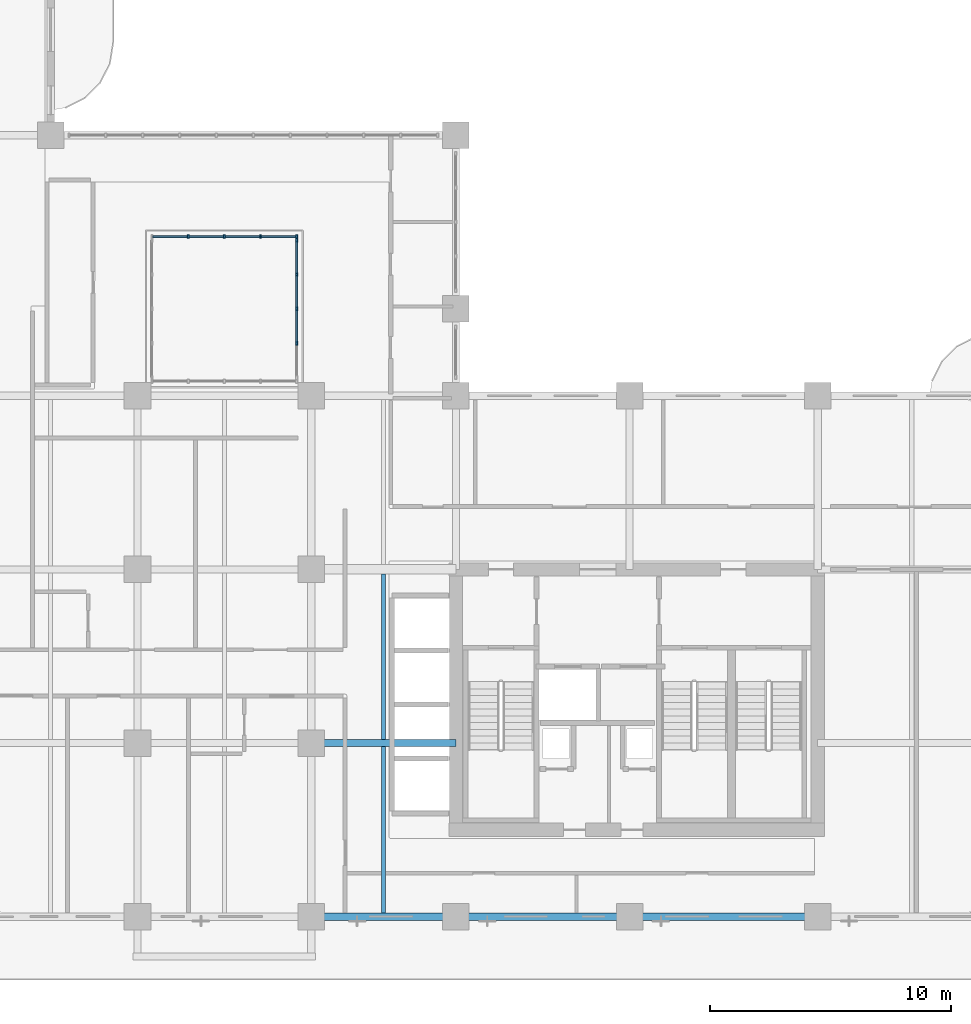
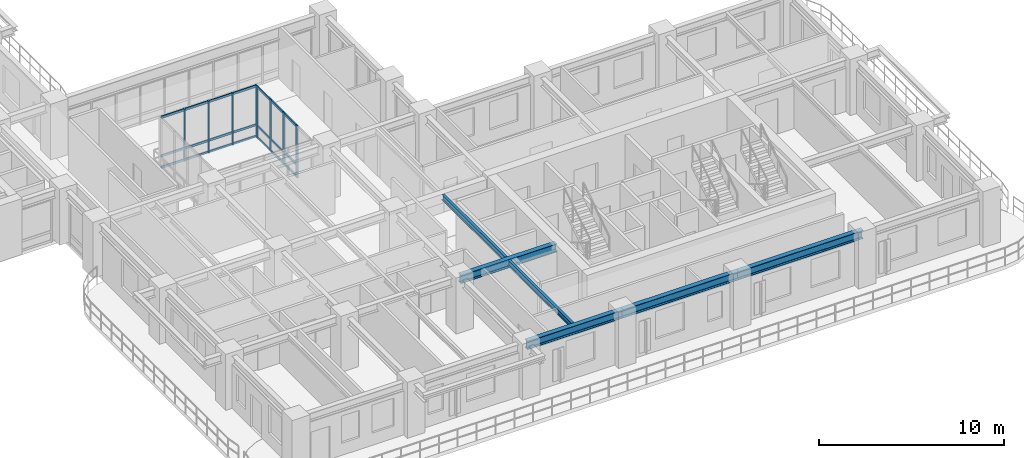
# One storey, part 3 of 22: 29 members, 6 beams, 2 elements without a shape of their own.
"""IFC4 building model written with IfcOpenShell, lengths in metres."""

from ifc_helpers import new_model, si_unit, derived_unit, direction, frame, origin, origin_2d, place, context, subcontext, project, spatial, rectangle, i_section, extrude, source, transform, mapped, material, layer, layer_set, material_profile, profile_set, type_object, type_shapes, element, aggregate, save


model = new_model("IFC4")

# Units and contexts
model_context = context("Model", 3, precision=1e-05, world=origin(), true_north=direction((0.0, 1.0)))
body_context = subcontext(model_context, "Body", "Model", "MODEL_VIEW")
ifc_project = project(units=[si_unit("LENGTHUNIT", "METRE"), si_unit("AREAUNIT", "SQUARE_METRE"), si_unit("VOLUMEUNIT", "CUBIC_METRE"), si_unit("PLANEANGLEUNIT", "RADIAN"), si_unit("MASSUNIT", "GRAM", prefix="KILO"), si_unit("THERMODYNAMICTEMPERATUREUNIT", "KELVIN"), si_unit("POWERUNIT", "WATT"), derived_unit("THERMALTRANSMITTANCEUNIT", [(si_unit("POWERUNIT", "WATT"), 1), (si_unit("AREAUNIT", "SQUARE_METRE"), -1), (si_unit("THERMODYNAMICTEMPERATUREUNIT", "KELVIN"), -1)])], contexts=[model_context])

# Site, building, storey
site_placement = place(None, origin())
site = spatial("IfcSite", under=ifc_project, at=site_placement, CompositionType="ELEMENT")
building_placement = place(site_placement, origin())
building = spatial("IfcBuilding", under=site, at=building_placement, Name="Zahravan Archway Hotel and Residences", CompositionType="ELEMENT")
storey_placement = place(building_placement, frame((0.0, 0.0, 99.0)))
storey = spatial("IfcBuildingStorey", under=building, at=storey_placement, Name="L24", CompositionType="ELEMENT", Elevation=99.0)

# Beams
ifc_material_1 = material(Name="Structural Steel S355JR", Category="steel")
ifc_material_profile_1 = material_profile(ifc_material_1, i_section(OverallWidth=0.300048828125, OverallDepth=0.550048828125, WebThickness=0.014892578125, FlangeThickness=0.029052734375, FilletRadius=0.027099609375, at=origin_2d()), Name="HEB 550", Category="steel")
ifc_profile_set_1 = profile_set([ifc_material_profile_1], Name="Structural Steel S355JR")
beam_type_1 = type_object("IfcBeamType", Name="BM-PRI-HEB550", PredefinedType="BEAM", material=ifc_profile_set_1)
shared_shape_1 = source(origin(), body_context, "Body", "SweptSolid", [
    extrude(i_section(OverallWidth=0.300048828125, OverallDepth=0.550048828125, WebThickness=0.014892578125, FlangeThickness=0.029052734375, FilletRadius=0.027099609375, at=origin_2d()), origin(), (0.0, 0.0, 1.0), 7.199951171875),
])
beam_1_placement = place(storey_placement, frame((34.800048828125, 0.0, 3.175048828125), z_axis=(1.0, 0.0, 0.0), x_axis=(0.0, 1.0, 0.0)))
element("IfcBeam", 1, at=beam_1_placement, inside=storey, type_object=beam_type_1, Name="L24 Primary Girder EW-04", PredefinedType="BEAM", context=body_context, shape_type="MappedRepresentation", body=[
    mapped(shared_shape_1, transform((0.0, 0.0, 0.0), scale=1.0)),
])
shared_shape_2 = source(origin(), body_context, "Body", "SweptSolid", [
    extrude(i_section(OverallWidth=0.300048828125, OverallDepth=0.550048828125, WebThickness=0.014892578125, FlangeThickness=0.029052734375, FilletRadius=0.027099609375, at=origin_2d()), origin(), (0.0, 0.0, 1.0), 6.0),
])
for number, where, z_axis, x_axis, name in (
    (2, (28.800048828125, 0.0, 3.175048828125), (1.0, 0.0, 0.0), (0.0, 1.0, 0.0), "L24 Primary Girder EW-03"),
    (3, (28.800048828125, 7.199951171875, 3.175048828125), (1.0, 0.0, 0.0), (0.0, 1.0, 0.0), "L24 Primary Girder EW-09"),
):
    element("IfcBeam", number, at=place(storey_placement, frame(where, z_axis=z_axis, x_axis=x_axis)), inside=storey, type_object=beam_type_1, Name=name, PredefinedType="BEAM", context=body_context, shape_type="MappedRepresentation", body=[
        mapped(shared_shape_2, transform((0.0, 0.0, 0.0), scale=1.0)),
    ])
shared_shape_3 = source(origin(), body_context, "Body", "SweptSolid", [
    extrude(i_section(OverallWidth=0.300048828125, OverallDepth=0.550048828125, WebThickness=0.014892578125, FlangeThickness=0.029052734375, FilletRadius=0.027099609375, at=origin_2d()), origin(), (0.0, 0.0, 1.0), 7.800048828125),
])
beam_2_placement = place(storey_placement, frame((42.0, 0.0, 3.175048828125), z_axis=(1.0, 0.0, 0.0), x_axis=(0.0, 1.0, 0.0)))
element("IfcBeam", 4, at=beam_2_placement, inside=storey, type_object=beam_type_1, Name="L24 Primary Girder EW-05", PredefinedType="BEAM", context=body_context, shape_type="MappedRepresentation", body=[
    mapped(shared_shape_3, transform((0.0, 0.0, 0.0), scale=1.0)),
])
ifc_material_profile_2 = material_profile(ifc_material_1, i_section(OverallWidth=0.169921875, OverallDepth=0.360107421875, WebThickness=0.008056640625, FlangeThickness=0.0126953125, FilletRadius=0.01806640625, at=origin_2d()), Name="IPE 360", Category="steel")
ifc_profile_set_2 = profile_set([ifc_material_profile_2], Name="Structural Steel S355JR")
beam_type_2 = type_object("IfcBeamType", Name="BM-JST-IPE360", PredefinedType="JOIST", material=ifc_profile_set_2)
shared_shape_4 = source(origin(), body_context, "Body", "SweptSolid", [
    extrude(i_section(OverallWidth=0.169921875, OverallDepth=0.360107421875, WebThickness=0.008056640625, FlangeThickness=0.0126953125, FilletRadius=0.01806640625, at=origin_2d()), origin(), (0.0, 0.0, 1.0), 6.904052734375),
])
type_shapes(beam_type_2, [shared_shape_4])
beam_3_placement = place(storey_placement, frame((31.800048828125, 0.14794921875, 3.27001953125), z_axis=(0.0, 1.0, 0.0), x_axis=(-1.0, 0.0, 0.0)))
element("IfcBeam", 5, at=beam_3_placement, inside=storey, type_object=beam_type_2, Name="L24 Composite Floor Joist 03", PredefinedType="JOIST", context=body_context, shape_type="MappedRepresentation", body=[
    mapped(shared_shape_4, transform((0.0, 0.0, 0.0), scale=1.0)),
])
shared_shape_5 = source(origin(), body_context, "Body", "SweptSolid", [
    extrude(i_section(OverallWidth=0.169921875, OverallDepth=0.360107421875, WebThickness=0.008056640625, FlangeThickness=0.0126953125, FilletRadius=0.01806640625, at=origin_2d()), origin(), (0.0, 0.0, 1.0), 6.85400390625),
])
beam_4_placement = place(storey_placement, frame((31.800048828125, 7.347900390625, 3.27001953125), z_axis=(0.0, 1.0, 0.0), x_axis=(-1.0, 0.0, 0.0)))
element("IfcBeam", 6, at=beam_4_placement, inside=storey, type_object=beam_type_2, Name="L24 Composite Floor Joist 07", PredefinedType="JOIST", context=body_context, shape_type="MappedRepresentation", body=[
    mapped(shared_shape_5, transform((0.0, 0.0, 0.0), scale=1.0)),
])

# Curtain wall, members
ifc_material_2 = material(Name="Bronze-Anodized Unitised Aluminium & Low-E Glass", Category="aluminium")
ifc_layer = layer(ifc_material_2, 0.179931640625, Name="Bronze-Anodized Unitised Aluminium & Low-E Glass", Category="aluminium")
ifc_layer_set = layer_set([ifc_layer], Name="Bronze-Anodized Unitised Aluminium & Low-E Glass")
curtain_wall_type = type_object("IfcCurtainWallType", Name="CW-ATR-GLAZ", PredefinedType="NOTDEFINED", material=ifc_layer_set)
curtain_wall_1_placement = place(storey_placement, origin())
curtain_wall_1 = element("IfcCurtainWall", 7, at=curtain_wall_1_placement, inside=storey, type_object=curtain_wall_type, Name="L24 Curtain Wall CW-ATR-L24-N-1", PredefinedType="NOTDEFINED")
ifc_material_3 = material(Name="Bronze-Anodized Extruded Aluminium", Category="aluminium")
ifc_material_profile_3 = material_profile(ifc_material_3, rectangle(XDim=0.080078125, YDim=0.159912109375, at=origin_2d()), Name="MUL 80x160", Category="aluminium")
ifc_profile_set_3 = profile_set([ifc_material_profile_3], Name="Bronze-Anodized Extruded Aluminium")
member_type_1 = type_object("IfcMemberType", Name="CWM-MUL-160", PredefinedType="MULLION", material=ifc_profile_set_3)
shared_shape_6 = source(origin(), body_context, "Body", "SweptSolid", [
    extrude(rectangle(XDim=0.080078125, YDim=0.159912109375, at=origin_2d()), origin(), (0.0, 0.0, 1.0), 3.449951171875),
])
member_1_placement = place(storey_placement, frame((23.699951171875, 28.199951171875, 0.0), z_axis=(0.0, 0.0, 1.0), x_axis=(1.0, 0.0, 0.0)))
member_1 = element("IfcMember", 8, at=member_1_placement, type_object=member_type_1, Name="CW-ATR-L24-N-1 Mullion 1", PredefinedType="MULLION", context=body_context, shape_type="MappedRepresentation", body=[
    mapped(shared_shape_6, transform((0.0, 0.0, 0.0), scale=1.0)),
])
member_2_placement = place(storey_placement, frame((25.199951171875, 28.199951171875, 0.0), z_axis=(0.0, 0.0, 1.0), x_axis=(1.0, 0.0, 0.0)))
member_2 = element("IfcMember", 9, at=member_2_placement, type_object=member_type_1, Name="CW-ATR-L24-N-1 Mullion 2", PredefinedType="MULLION", context=body_context, shape_type="MappedRepresentation", body=[
    mapped(shared_shape_6, transform((0.0, 0.0, 0.0), scale=1.0)),
])
member_3_placement = place(storey_placement, frame((26.699951171875, 28.199951171875, 0.0), z_axis=(0.0, 0.0, 1.0), x_axis=(1.0, 0.0, 0.0)))
member_3 = element("IfcMember", 10, at=member_3_placement, type_object=member_type_1, Name="CW-ATR-L24-N-1 Mullion 3", PredefinedType="MULLION", context=body_context, shape_type="MappedRepresentation", body=[
    mapped(shared_shape_6, transform((0.0, 0.0, 0.0), scale=1.0)),
])
member_4_placement = place(storey_placement, frame((28.199951171875, 28.199951171875, 0.0), z_axis=(0.0, 0.0, 1.0), x_axis=(1.0, 0.0, 0.0)))
member_4 = element("IfcMember", 11, at=member_4_placement, type_object=member_type_1, Name="CW-ATR-L24-N-1 Mullion 4", PredefinedType="MULLION", context=body_context, shape_type="MappedRepresentation", body=[
    mapped(shared_shape_6, transform((0.0, 0.0, 0.0), scale=1.0)),
])

curtain_wall_2_placement = place(storey_placement, origin())
curtain_wall_2 = element("IfcCurtainWall", 12, at=curtain_wall_2_placement, inside=storey, type_object=curtain_wall_type, Name="L24 Curtain Wall CW-ATR-L24-E-1", PredefinedType="NOTDEFINED")
member_5_placement = place(storey_placement, frame((28.199951171875, 23.77490234375, 0.0), z_axis=(0.0, 0.0, 1.0), x_axis=(1.0, 0.0, 0.0)))
member_5 = element("IfcMember", 13, at=member_5_placement, type_object=member_type_1, Name="CW-ATR-L24-E-1 Mullion 1", PredefinedType="MULLION", context=body_context, shape_type="MappedRepresentation", body=[
    mapped(shared_shape_6, transform((0.0, 0.0, 0.0), scale=1.0)),
])
member_6_placement = place(storey_placement, frame((28.199951171875, 25.199951171875, 0.0), z_axis=(0.0, 0.0, 1.0), x_axis=(1.0, 0.0, 0.0)))
member_6 = element("IfcMember", 14, at=member_6_placement, type_object=member_type_1, Name="CW-ATR-L24-E-1 Mullion 2", PredefinedType="MULLION", context=body_context, shape_type="MappedRepresentation", body=[
    mapped(shared_shape_6, transform((0.0, 0.0, 0.0), scale=1.0)),
])
member_7_placement = place(storey_placement, frame((28.199951171875, 26.625, 0.0), z_axis=(0.0, 0.0, 1.0), x_axis=(1.0, 0.0, 0.0)))
member_7 = element("IfcMember", 15, at=member_7_placement, type_object=member_type_1, Name="CW-ATR-L24-E-1 Mullion 3", PredefinedType="MULLION", context=body_context, shape_type="MappedRepresentation", body=[
    mapped(shared_shape_6, transform((0.0, 0.0, 0.0), scale=1.0)),
])
member_8_placement = place(storey_placement, frame((28.199951171875, 28.050048828125, 0.0), z_axis=(0.0, 0.0, 1.0), x_axis=(1.0, 0.0, 0.0)))
member_8 = element("IfcMember", 16, at=member_8_placement, type_object=member_type_1, Name="CW-ATR-L24-E-1 Mullion 4", PredefinedType="MULLION", context=body_context, shape_type="MappedRepresentation", body=[
    mapped(shared_shape_6, transform((0.0, 0.0, 0.0), scale=1.0)),
])

# Member
ifc_material_profile_4 = material_profile(ifc_material_3, rectangle(XDim=0.080078125, YDim=0.139892578125, at=origin_2d()), Name="TRN 80x140", Category="aluminium")
ifc_profile_set_4 = profile_set([ifc_material_profile_4], Name="Bronze-Anodized Extruded Aluminium")
member_type_2 = type_object("IfcMemberType", Name="CWM-TRN-140", PredefinedType="USERDEFINED", material=ifc_profile_set_4)
shared_shape_7 = source(origin(), body_context, "Body", "SweptSolid", [
    extrude(rectangle(XDim=0.080078125, YDim=0.139892578125, at=origin_2d()), origin(), (0.0, 0.0, 1.0), 1.419921875),
])
member_9_placement = place(storey_placement, frame((22.239990234375, 28.199951171875, 0.070068359375), z_axis=(1.0, 0.0, 0.0), x_axis=(0.0, 1.0, 0.0)))
member_9 = element("IfcMember", 17, at=member_9_placement, type_object=member_type_2, Name="CW-ATR-L24-N-1 Transom 0-1", ObjectType="TRANSOM", PredefinedType="USERDEFINED", context=body_context, shape_type="MappedRepresentation", body=[
    mapped(shared_shape_7, transform((0.0, 0.0, 0.0), scale=1.0)),
])

member_10_placement = place(storey_placement, frame((22.239990234375, 28.199951171875, 0.827880859375), z_axis=(1.0, 0.0, 0.0), x_axis=(0.0, 1.0, 0.0)))
member_10 = element("IfcMember", 18, at=member_10_placement, type_object=member_type_2, Name="CW-ATR-L24-N-1 Transom 0-2", ObjectType="TRANSOM", PredefinedType="USERDEFINED", context=body_context, shape_type="MappedRepresentation", body=[
    mapped(shared_shape_7, transform((0.0, 0.0, 0.0), scale=1.0)),
])

member_11_placement = place(storey_placement, frame((22.239990234375, 28.199951171875, 3.3798828125), z_axis=(1.0, 0.0, 0.0), x_axis=(0.0, 1.0, 0.0)))
member_11 = element("IfcMember", 19, at=member_11_placement, type_object=member_type_2, Name="CW-ATR-L24-N-1 Transom 0-3", ObjectType="TRANSOM", PredefinedType="USERDEFINED", context=body_context, shape_type="MappedRepresentation", body=[
    mapped(shared_shape_7, transform((0.0, 0.0, 0.0), scale=1.0)),
])

member_12_placement = place(storey_placement, frame((23.739990234375, 28.199951171875, 0.070068359375), z_axis=(1.0, 0.0, 0.0), x_axis=(0.0, 1.0, 0.0)))
member_12 = element("IfcMember", 20, at=member_12_placement, type_object=member_type_2, Name="CW-ATR-L24-N-1 Transom 1-1", ObjectType="TRANSOM", PredefinedType="USERDEFINED", context=body_context, shape_type="MappedRepresentation", body=[
    mapped(shared_shape_7, transform((0.0, 0.0, 0.0), scale=1.0)),
])

member_13_placement = place(storey_placement, frame((23.739990234375, 28.199951171875, 0.827880859375), z_axis=(1.0, 0.0, 0.0), x_axis=(0.0, 1.0, 0.0)))
member_13 = element("IfcMember", 21, at=member_13_placement, type_object=member_type_2, Name="CW-ATR-L24-N-1 Transom 1-2", ObjectType="TRANSOM", PredefinedType="USERDEFINED", context=body_context, shape_type="MappedRepresentation", body=[
    mapped(shared_shape_7, transform((0.0, 0.0, 0.0), scale=1.0)),
])

member_14_placement = place(storey_placement, frame((23.739990234375, 28.199951171875, 3.3798828125), z_axis=(1.0, 0.0, 0.0), x_axis=(0.0, 1.0, 0.0)))
member_14 = element("IfcMember", 22, at=member_14_placement, type_object=member_type_2, Name="CW-ATR-L24-N-1 Transom 1-3", ObjectType="TRANSOM", PredefinedType="USERDEFINED", context=body_context, shape_type="MappedRepresentation", body=[
    mapped(shared_shape_7, transform((0.0, 0.0, 0.0), scale=1.0)),
])

member_15_placement = place(storey_placement, frame((25.239990234375, 28.199951171875, 0.070068359375), z_axis=(1.0, 0.0, 0.0), x_axis=(0.0, 1.0, 0.0)))
member_15 = element("IfcMember", 23, at=member_15_placement, type_object=member_type_2, Name="CW-ATR-L24-N-1 Transom 2-1", ObjectType="TRANSOM", PredefinedType="USERDEFINED", context=body_context, shape_type="MappedRepresentation", body=[
    mapped(shared_shape_7, transform((0.0, 0.0, 0.0), scale=1.0)),
])

member_16_placement = place(storey_placement, frame((25.239990234375, 28.199951171875, 0.827880859375), z_axis=(1.0, 0.0, 0.0), x_axis=(0.0, 1.0, 0.0)))
member_16 = element("IfcMember", 24, at=member_16_placement, type_object=member_type_2, Name="CW-ATR-L24-N-1 Transom 2-2", ObjectType="TRANSOM", PredefinedType="USERDEFINED", context=body_context, shape_type="MappedRepresentation", body=[
    mapped(shared_shape_7, transform((0.0, 0.0, 0.0), scale=1.0)),
])

member_17_placement = place(storey_placement, frame((25.239990234375, 28.199951171875, 3.3798828125), z_axis=(1.0, 0.0, 0.0), x_axis=(0.0, 1.0, 0.0)))
member_17 = element("IfcMember", 25, at=member_17_placement, type_object=member_type_2, Name="CW-ATR-L24-N-1 Transom 2-3", ObjectType="TRANSOM", PredefinedType="USERDEFINED", context=body_context, shape_type="MappedRepresentation", body=[
    mapped(shared_shape_7, transform((0.0, 0.0, 0.0), scale=1.0)),
])

member_18_placement = place(storey_placement, frame((26.739990234375, 28.199951171875, 0.070068359375), z_axis=(1.0, 0.0, 0.0), x_axis=(0.0, 1.0, 0.0)))
member_18 = element("IfcMember", 26, at=member_18_placement, type_object=member_type_2, Name="CW-ATR-L24-N-1 Transom 3-1", ObjectType="TRANSOM", PredefinedType="USERDEFINED", context=body_context, shape_type="MappedRepresentation", body=[
    mapped(shared_shape_7, transform((0.0, 0.0, 0.0), scale=1.0)),
])

member_19_placement = place(storey_placement, frame((26.739990234375, 28.199951171875, 0.827880859375), z_axis=(1.0, 0.0, 0.0), x_axis=(0.0, 1.0, 0.0)))
member_19 = element("IfcMember", 27, at=member_19_placement, type_object=member_type_2, Name="CW-ATR-L24-N-1 Transom 3-2", ObjectType="TRANSOM", PredefinedType="USERDEFINED", context=body_context, shape_type="MappedRepresentation", body=[
    mapped(shared_shape_7, transform((0.0, 0.0, 0.0), scale=1.0)),
])

member_20_placement = place(storey_placement, frame((26.739990234375, 28.199951171875, 3.3798828125), z_axis=(1.0, 0.0, 0.0), x_axis=(0.0, 1.0, 0.0)))
member_20 = element("IfcMember", 28, at=member_20_placement, type_object=member_type_2, Name="CW-ATR-L24-N-1 Transom 3-3", ObjectType="TRANSOM", PredefinedType="USERDEFINED", context=body_context, shape_type="MappedRepresentation", body=[
    mapped(shared_shape_7, transform((0.0, 0.0, 0.0), scale=1.0)),
])

aggregate(curtain_wall_1, [member_1, member_2, member_3, member_4, member_9, member_10, member_11, member_12, member_13, member_14, member_15, member_16, member_17, member_18, member_19, member_20])

shared_shape_8 = source(origin(), body_context, "Body", "SweptSolid", [
    extrude(rectangle(XDim=0.080078125, YDim=0.139892578125, at=origin_2d()), origin(), (0.0, 0.0, 1.0), 1.344970703125),
])
member_21_placement = place(storey_placement, frame((28.199951171875, 23.81494140625, 0.070068359375), z_axis=(0.0, 1.0, 0.0), x_axis=(-1.0, 0.0, 0.0)))
member_21 = element("IfcMember", 29, at=member_21_placement, type_object=member_type_2, Name="CW-ATR-L24-E-1 Transom 1-1", ObjectType="TRANSOM", PredefinedType="USERDEFINED", context=body_context, shape_type="MappedRepresentation", body=[
    mapped(shared_shape_8, transform((0.0, 0.0, 0.0), scale=1.0)),
])

member_22_placement = place(storey_placement, frame((28.199951171875, 23.81494140625, 0.827880859375), z_axis=(0.0, 1.0, 0.0), x_axis=(-1.0, 0.0, 0.0)))
member_22 = element("IfcMember", 30, at=member_22_placement, type_object=member_type_2, Name="CW-ATR-L24-E-1 Transom 1-2", ObjectType="TRANSOM", PredefinedType="USERDEFINED", context=body_context, shape_type="MappedRepresentation", body=[
    mapped(shared_shape_8, transform((0.0, 0.0, 0.0), scale=1.0)),
])

member_23_placement = place(storey_placement, frame((28.199951171875, 23.81494140625, 3.3798828125), z_axis=(0.0, 1.0, 0.0), x_axis=(-1.0, 0.0, 0.0)))
member_23 = element("IfcMember", 31, at=member_23_placement, type_object=member_type_2, Name="CW-ATR-L24-E-1 Transom 1-3", ObjectType="TRANSOM", PredefinedType="USERDEFINED", context=body_context, shape_type="MappedRepresentation", body=[
    mapped(shared_shape_8, transform((0.0, 0.0, 0.0), scale=1.0)),
])

member_24_placement = place(storey_placement, frame((28.199951171875, 25.239990234375, 0.070068359375), z_axis=(0.0, 1.0, 0.0), x_axis=(-1.0, 0.0, 0.0)))
member_24 = element("IfcMember", 32, at=member_24_placement, type_object=member_type_2, Name="CW-ATR-L24-E-1 Transom 2-1", ObjectType="TRANSOM", PredefinedType="USERDEFINED", context=body_context, shape_type="MappedRepresentation", body=[
    mapped(shared_shape_8, transform((0.0, 0.0, 0.0), scale=1.0)),
])

member_25_placement = place(storey_placement, frame((28.199951171875, 25.239990234375, 0.827880859375), z_axis=(0.0, 1.0, 0.0), x_axis=(-1.0, 0.0, 0.0)))
member_25 = element("IfcMember", 33, at=member_25_placement, type_object=member_type_2, Name="CW-ATR-L24-E-1 Transom 2-2", ObjectType="TRANSOM", PredefinedType="USERDEFINED", context=body_context, shape_type="MappedRepresentation", body=[
    mapped(shared_shape_8, transform((0.0, 0.0, 0.0), scale=1.0)),
])

member_26_placement = place(storey_placement, frame((28.199951171875, 25.239990234375, 3.3798828125), z_axis=(0.0, 1.0, 0.0), x_axis=(-1.0, 0.0, 0.0)))
member_26 = element("IfcMember", 34, at=member_26_placement, type_object=member_type_2, Name="CW-ATR-L24-E-1 Transom 2-3", ObjectType="TRANSOM", PredefinedType="USERDEFINED", context=body_context, shape_type="MappedRepresentation", body=[
    mapped(shared_shape_8, transform((0.0, 0.0, 0.0), scale=1.0)),
])

member_27_placement = place(storey_placement, frame((28.199951171875, 26.6650390625, 0.070068359375), z_axis=(0.0, 1.0, 0.0), x_axis=(-1.0, 0.0, 0.0)))
member_27 = element("IfcMember", 35, at=member_27_placement, type_object=member_type_2, Name="CW-ATR-L24-E-1 Transom 3-1", ObjectType="TRANSOM", PredefinedType="USERDEFINED", context=body_context, shape_type="MappedRepresentation", body=[
    mapped(shared_shape_8, transform((0.0, 0.0, 0.0), scale=1.0)),
])

member_28_placement = place(storey_placement, frame((28.199951171875, 26.6650390625, 0.827880859375), z_axis=(0.0, 1.0, 0.0), x_axis=(-1.0, 0.0, 0.0)))
member_28 = element("IfcMember", 36, at=member_28_placement, type_object=member_type_2, Name="CW-ATR-L24-E-1 Transom 3-2", ObjectType="TRANSOM", PredefinedType="USERDEFINED", context=body_context, shape_type="MappedRepresentation", body=[
    mapped(shared_shape_8, transform((0.0, 0.0, 0.0), scale=1.0)),
])

member_29_placement = place(storey_placement, frame((28.199951171875, 26.6650390625, 3.3798828125), z_axis=(0.0, 1.0, 0.0), x_axis=(-1.0, 0.0, 0.0)))
member_29 = element("IfcMember", 37, at=member_29_placement, type_object=member_type_2, Name="CW-ATR-L24-E-1 Transom 3-3", ObjectType="TRANSOM", PredefinedType="USERDEFINED", context=body_context, shape_type="MappedRepresentation", body=[
    mapped(shared_shape_8, transform((0.0, 0.0, 0.0), scale=1.0)),
])

aggregate(curtain_wall_2, [member_5, member_6, member_7, member_8, member_21, member_22, member_23, member_24, member_25, member_26, member_27, member_28, member_29])

save(model, "model.ifc")
